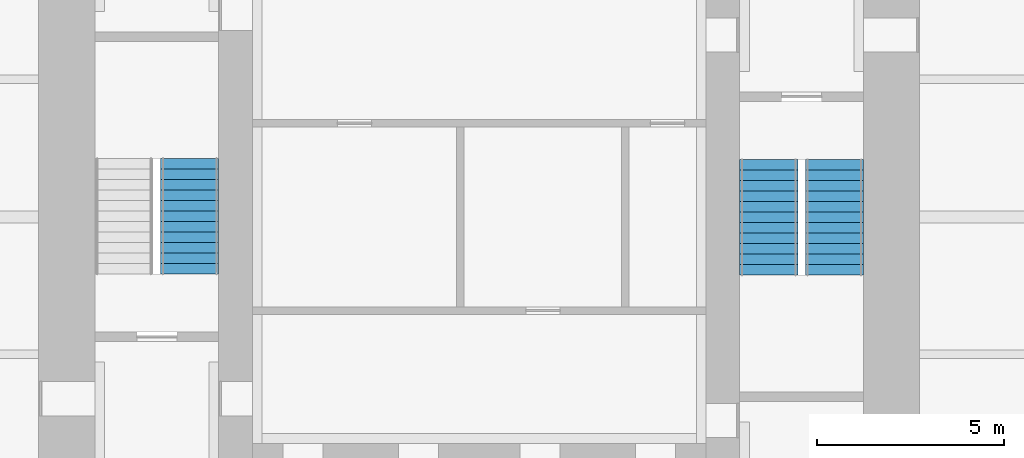
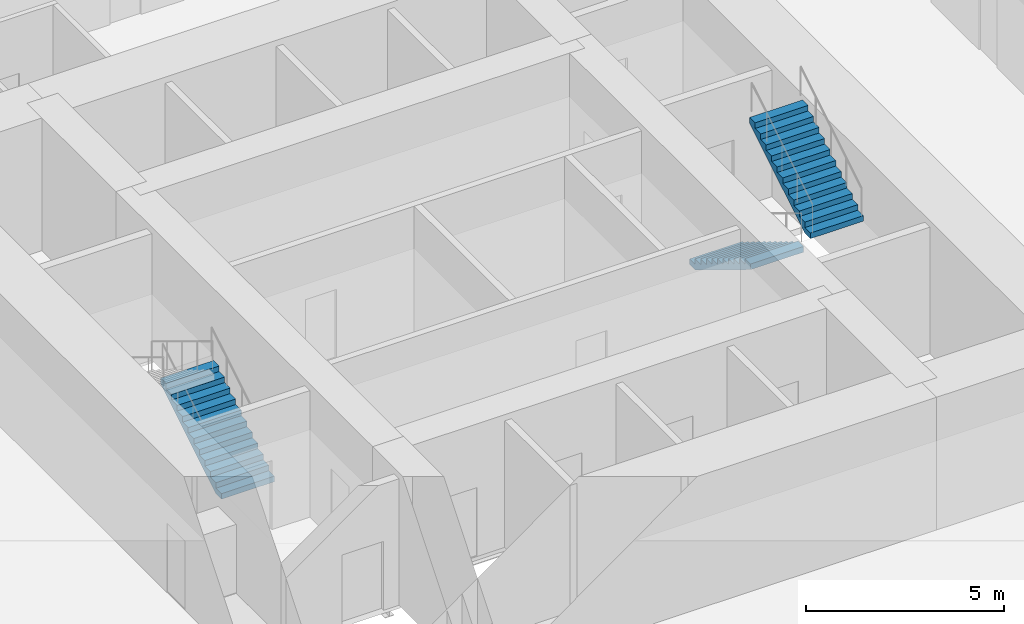
# One storey, part 11 of 12: 3 stair flights, 2 elements without a shape of their own.
"""IFC4 building model written with IfcOpenShell, lengths in metres."""

from ifc_helpers import new_model, si_unit, direction, frame, origin, place, context, subcontext, project, spatial, polyline, outline, extrude, material, type_object, element, aggregate, save


model = new_model("IFC4")

# Units and contexts
model_context = context("Model", 3, precision=1e-05, world=origin(), true_north=direction((0.0, 1.0)))
body_context = subcontext(model_context, "Body", "Model", "MODEL_VIEW")
ifc_project = project(units=[si_unit("LENGTHUNIT", "METRE"), si_unit("AREAUNIT", "SQUARE_METRE"), si_unit("VOLUMEUNIT", "CUBIC_METRE"), si_unit("PLANEANGLEUNIT", "RADIAN"), si_unit("MASSUNIT", "GRAM", prefix="KILO")], contexts=[model_context])

# Site, building, storey
site_placement = place(None, origin())
site = spatial("IfcSite", under=ifc_project, at=site_placement, CompositionType="ELEMENT")
building_placement = place(site_placement, origin())
building = spatial("IfcBuilding", under=site, at=building_placement, Name="Trevanion Tower", CompositionType="ELEMENT")
storey_placement = place(building_placement, frame((0.0, 0.0, 158.199951171875)))
storey = spatial("IfcBuildingStorey", under=building, at=storey_placement, Name="L37", CompositionType="ELEMENT", Elevation=158.199951171875)

# Stair, stair flights
ifc_material_1 = material(Name="Concrete 5,000 psi on steel stringers", Category="concrete")
stair_type = type_object("IfcStairType", Name="ST stair", PredefinedType="HALF_TURN_STAIR", material=ifc_material_1)
stair_1_placement = place(storey_placement, origin())
stair_1 = element("IfcStair", 1, at=stair_1_placement, inside=storey, type_object=stair_type, Name="ST1 L37", PredefinedType="HALF_TURN_STAIR")
ifc_material_2 = material(Name="Concrete 5,000 psi in steel pan", Category="concrete")
stair_flight_type = type_object("IfcStairFlightType", Name="STF stair flight", PredefinedType="STRAIGHT", material=ifc_material_2)
stair_flight_1_placement = place(storey_placement, frame((7.72509765625, 1.52490234375, 0.0), z_axis=(0.0, 0.0, 1.0), x_axis=(0.0, -1.0, 0.0)))
stair_flight_1 = element("IfcStairFlight", 2, at=stair_flight_1_placement, type_object=stair_flight_type, Name="ST1 flight 1", NumberOfRisers=12, NumberOfTreads=11, PredefinedType="STRAIGHT", RiserHeight=0.170833333, TreadLength=0.28, context=body_context, shape_type="SweptSolid", body=[
    extrude(outline(polyline([(0.0, 0.0), (0.0, 0.1708984375), (0.280029296875, 0.1708984375), (0.280029296875, 0.341552734375), (0.56005859375, 0.341552734375), (0.56005859375, 0.512451171875), (0.840087890625, 0.512451171875), (0.840087890625, 0.683349609375), (1.1201171875, 0.683349609375), (1.1201171875, 0.854248046875), (1.39990234375, 0.854248046875), (1.39990234375, 1.02490234375), (1.679931640625, 1.02490234375), (1.679931640625, 1.19580078125), (1.9599609375, 1.19580078125), (1.9599609375, 1.36669921875), (2.239990234375, 1.36669921875), (2.239990234375, 1.53759765625), (2.52001953125, 1.53759765625), (2.52001953125, 1.708251953125), (2.800048828125, 1.708251953125), (2.800048828125, 1.879150390625), (3.080078125, 1.879150390625), (3.080078125, 2.050048828125), (3.080078125, 1.70361328125), (0.287841796875, 0.0), (0.0, 0.0)])), frame((0.0, 0.77490234375, 0.0), z_axis=(0.0, -1.0, 0.0), x_axis=(1.0, 0.0, 0.0)), (0.0, 0.0, 1.0), 1.550048828125),
])
stair_flight_2_placement = place(storey_placement, frame((9.47509765625, -1.554931640625, 2.050048828125), z_axis=(0.0, 0.0, 1.0), x_axis=(0.0, 1.0, 0.0)))
stair_flight_2 = element("IfcStairFlight", 3, at=stair_flight_2_placement, type_object=stair_flight_type, Name="ST1 flight 2", NumberOfRisers=12, NumberOfTreads=11, PredefinedType="STRAIGHT", RiserHeight=0.170833333, TreadLength=0.28, context=body_context, shape_type="SweptSolid", body=[
    extrude(outline(polyline([(0.0, 0.0), (0.0, 0.1708984375), (0.280029296875, 0.1708984375), (0.280029296875, 0.341552734375), (0.56005859375, 0.341552734375), (0.56005859375, 0.512451171875), (0.840087890625, 0.512451171875), (0.840087890625, 0.683349609375), (1.1201171875, 0.683349609375), (1.1201171875, 0.854248046875), (1.39990234375, 0.854248046875), (1.39990234375, 1.02490234375), (1.679931640625, 1.02490234375), (1.679931640625, 1.19580078125), (1.9599609375, 1.19580078125), (1.9599609375, 1.36669921875), (2.239990234375, 1.36669921875), (2.239990234375, 1.53759765625), (2.52001953125, 1.53759765625), (2.52001953125, 1.708251953125), (2.800048828125, 1.708251953125), (2.800048828125, 1.879150390625), (3.080078125, 1.879150390625), (3.080078125, 2.050048828125), (3.080078125, 1.70361328125), (0.287841796875, 0.0), (0.0, 0.0)])), frame((0.0, 0.77490234375, 0.0), z_axis=(0.0, -1.0, 0.0), x_axis=(1.0, 0.0, 0.0)), (0.0, 0.0, 1.0), 1.550048828125),
])
aggregate(stair_1, [stair_flight_1, stair_flight_2])

# Stair, stair flight
stair_2_placement = place(storey_placement, origin())
stair_2 = element("IfcStair", 4, at=stair_2_placement, inside=storey, type_object=stair_type, Name="ST2 L37", PredefinedType="HALF_TURN_STAIR")
stair_flight_3_placement = place(storey_placement, frame((-7.72509765625, -1.52490234375, 0.0), z_axis=(0.0, 0.0, 1.0), x_axis=(0.0, 1.0, 0.0)))
stair_flight_3 = element("IfcStairFlight", 5, at=stair_flight_3_placement, type_object=stair_flight_type, Name="ST2 flight 1", NumberOfRisers=12, NumberOfTreads=11, PredefinedType="STRAIGHT", RiserHeight=0.170833333, TreadLength=0.28, context=body_context, shape_type="SweptSolid", body=[
    extrude(outline(polyline([(0.0, 0.0), (0.0, 0.1708984375), (0.280029296875, 0.1708984375), (0.280029296875, 0.341552734375), (0.56005859375, 0.341552734375), (0.56005859375, 0.512451171875), (0.840087890625, 0.512451171875), (0.840087890625, 0.683349609375), (1.1201171875, 0.683349609375), (1.1201171875, 0.854248046875), (1.39990234375, 0.854248046875), (1.39990234375, 1.02490234375), (1.679931640625, 1.02490234375), (1.679931640625, 1.19580078125), (1.9599609375, 1.19580078125), (1.9599609375, 1.36669921875), (2.239990234375, 1.36669921875), (2.239990234375, 1.53759765625), (2.52001953125, 1.53759765625), (2.52001953125, 1.708251953125), (2.800048828125, 1.708251953125), (2.800048828125, 1.879150390625), (3.080078125, 1.879150390625), (3.080078125, 2.050048828125), (3.080078125, 1.70361328125), (0.287841796875, 0.0), (0.0, 0.0)])), frame((0.0, 0.77490234375, 0.0), z_axis=(0.0, -1.0, 0.0), x_axis=(1.0, 0.0, 0.0)), (0.0, 0.0, 1.0), 1.550048828125),
])
aggregate(stair_2, [stair_flight_3])

save(model, "model.ifc")
